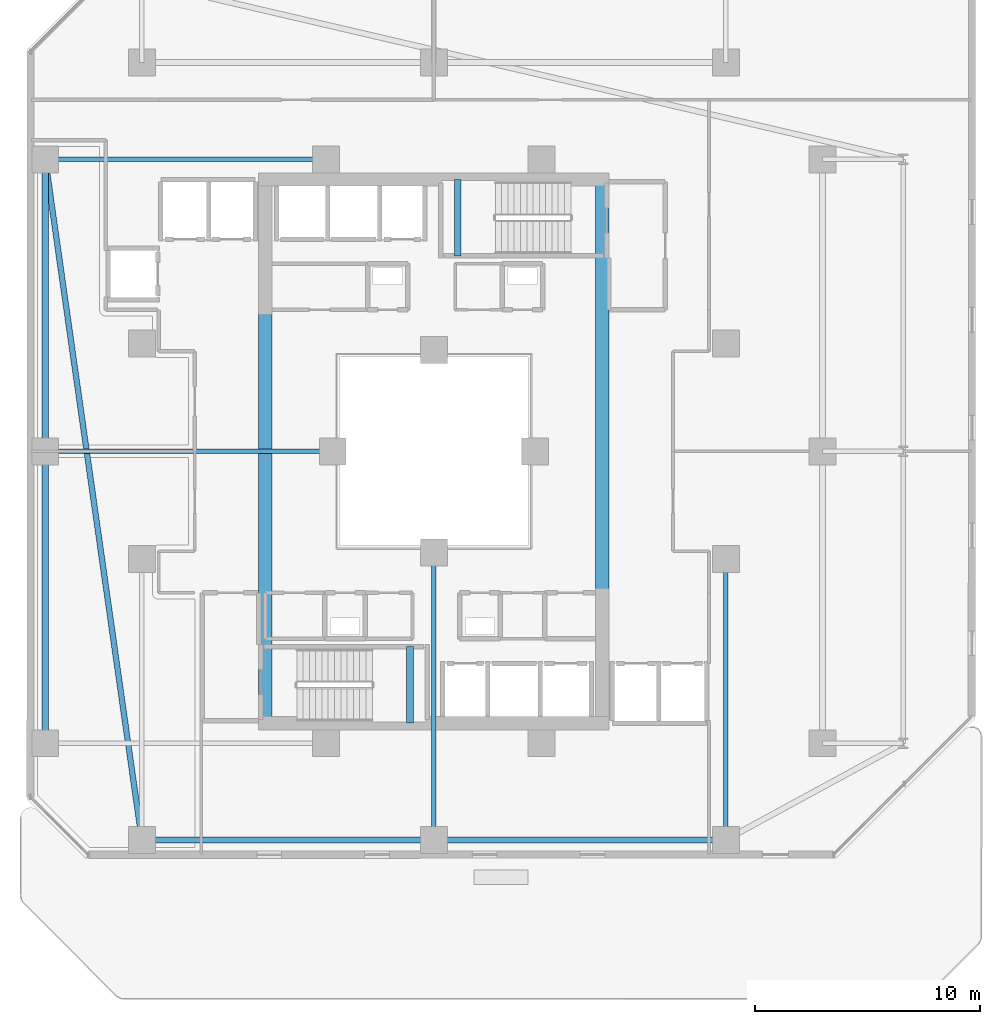
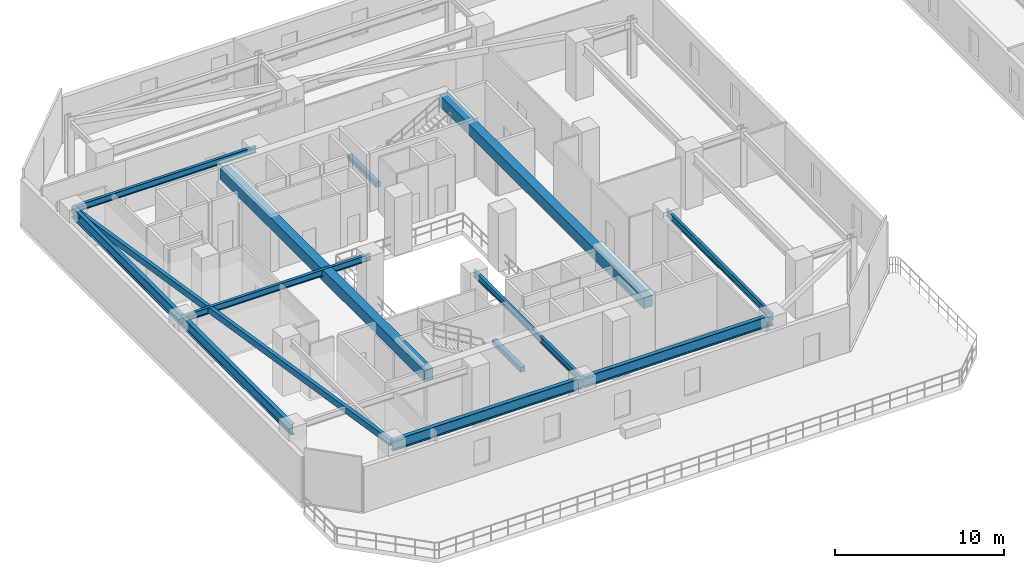
# One storey, part 4 of 30: 13 beams.
"""IFC4 building model written with IfcOpenShell, lengths in metres."""

from ifc_helpers import new_model, si_unit, direction, frame, origin, origin_2d, place, context, subcontext, project, spatial, rectangle, hollow_rectangle, i_section, extrude, material, material_profile, profile_set, type_object, element, save


model = new_model("IFC4")

# Units and contexts
model_context = context("Model", 3, precision=1e-05, world=origin(), true_north=direction((0.0, 1.0)))
body_context = subcontext(model_context, "Body", "Model", "MODEL_VIEW")
ifc_project = project(units=[si_unit("LENGTHUNIT", "METRE"), si_unit("AREAUNIT", "SQUARE_METRE"), si_unit("VOLUMEUNIT", "CUBIC_METRE"), si_unit("PLANEANGLEUNIT", "RADIAN"), si_unit("MASSUNIT", "GRAM", prefix="KILO")], contexts=[model_context])

# Site, building, storey
site_placement = place(None, origin())
site = spatial("IfcSite", under=ifc_project, at=site_placement, CompositionType="ELEMENT")
building_placement = place(site_placement, origin())
building = spatial("IfcBuilding", under=site, at=building_placement, Name="Thornwick Lancets Civic Towers", CompositionType="ELEMENT")
storey_placement = place(building_placement, frame((0.0, 0.0, 75.89990234375)))
storey = spatial("IfcBuildingStorey", under=building, at=storey_placement, Name="L19", CompositionType="ELEMENT", Elevation=75.89990234375)

# Beams
ifc_material_1 = material(Name="Concrete C60/75", Category="concrete")
ifc_material_profile_1 = material_profile(ifc_material_1, rectangle(XDim=0.60009765625, YDim=0.800048828125, at=origin_2d()), Name="RC 600x800")
ifc_profile_set_1 = profile_set([ifc_material_profile_1], Name="Concrete C60/75")
beam_type_1 = type_object("IfcBeamType", Name="BM_COUP_RC800", PredefinedType="BEAM", material=ifc_profile_set_1)
for number, where, z_axis, x_axis, name in (
    (1, (33.0, 14.89990234375, 3.56005859375), (0.0, 1.0, 0.0), (-1.0, 0.0, 0.0), "CB-L19-A1"),
    (2, (18.0, 14.89990234375, 3.56005859375), (0.0, 1.0, 0.0), (-1.0, 0.0, 0.0), "CB-L19-A2"),
):
    element("IfcBeam", number, at=place(storey_placement, frame(where, z_axis=z_axis, x_axis=x_axis)), inside=storey, type_object=beam_type_1, Name=name, PredefinedType="BEAM", context=body_context, shape_type="SweptSolid", body=[
        extrude(rectangle(XDim=0.60009765625, YDim=0.800048828125, at=origin_2d()), origin(), (0.0, 0.0, 1.0), 24.2001953125),
    ])
ifc_material_2 = material(Name="Steel S355JR", Category="steel")
ifc_material_profile_2 = material_profile(ifc_material_2, i_section(OverallWidth=0.26806640625, OverallDepth=0.769775390625, WebThickness=0.015625, FlangeThickness=0.025390625, FilletRadius=0.0166015625, at=origin_2d()), Name="UKB 762x267x197")
ifc_profile_set_2 = profile_set([ifc_material_profile_2], Name="Steel S355JR")
beam_type_2 = type_object("IfcBeamType", Name="BM_GIRD_762_197", PredefinedType="BEAM", material=ifc_profile_set_2)
beam_1_placement = place(storey_placement, frame((12.5, 9.699951171875, 3.5751953125), z_axis=(1.0, 0.0, 0.0), x_axis=(0.0, 1.0, 0.0)))
element("IfcBeam", 3, at=beam_1_placement, inside=storey, type_object=beam_type_2, Name="BM-SPINE-L19-A-0-1", PredefinedType="BEAM", context=body_context, shape_type="SweptSolid", body=[
    extrude(i_section(OverallWidth=0.26806640625, OverallDepth=0.769775390625, WebThickness=0.015625, FlangeThickness=0.025390625, FilletRadius=0.0166015625, at=origin_2d()), origin(), (0.0, 0.0, 1.0), 13.0),
])
beam_2_placement = place(storey_placement, frame((25.580078125, 9.699951171875, 3.5751953125), z_axis=(1.0, 0.0, 0.0), x_axis=(0.0, 1.0, 0.0)))
element("IfcBeam", 4, at=beam_2_placement, inside=storey, type_object=beam_type_2, Name="BM-SPINE-L19-A-1-2", PredefinedType="BEAM", context=body_context, shape_type="SweptSolid", body=[
    extrude(i_section(OverallWidth=0.26806640625, OverallDepth=0.769775390625, WebThickness=0.015625, FlangeThickness=0.025390625, FilletRadius=0.0166015625, at=origin_2d()), origin(), (0.0, 0.0, 1.0), 12.919921875),
])
beam_3_placement = place(storey_placement, frame((8.199951171875, 14.0, 3.5751953125), z_axis=(0.0, 1.0, 0.0), x_axis=(-1.0, 0.0, 0.0)))
element("IfcBeam", 5, at=beam_3_placement, inside=storey, type_object=beam_type_2, Name="BM-SPINE-L19-A-9-10", PredefinedType="BEAM", context=body_context, shape_type="SweptSolid", body=[
    extrude(i_section(OverallWidth=0.26806640625, OverallDepth=0.769775390625, WebThickness=0.015625, FlangeThickness=0.025390625, FilletRadius=0.0166015625, at=origin_2d()), origin(), (0.0, 0.0, 1.0), 13.0),
])
beam_4_placement = place(storey_placement, frame((8.199951171875, 27.080078125, 3.5751953125), z_axis=(0.0, 1.0, 0.0), x_axis=(-1.0, 0.0, 0.0)))
element("IfcBeam", 6, at=beam_4_placement, inside=storey, type_object=beam_type_2, Name="BM-SPINE-L19-A-10-11", PredefinedType="BEAM", context=body_context, shape_type="SweptSolid", body=[
    extrude(i_section(OverallWidth=0.26806640625, OverallDepth=0.769775390625, WebThickness=0.015625, FlangeThickness=0.025390625, FilletRadius=0.0166015625, at=origin_2d()), origin(), (0.0, 0.0, 1.0), 12.919921875),
])
ifc_material_profile_3 = material_profile(ifc_material_2, i_section(OverallWidth=0.19189453125, OverallDepth=0.46337890625, WebThickness=0.010498046875, FlangeThickness=0.017578125, FilletRadius=0.01025390625, at=origin_2d()), Name="UKB 457x191x89")
ifc_profile_set_3 = profile_set([ifc_material_profile_3], Name="Steel S355JR")
beam_type_3 = type_object("IfcBeamType", Name="BM_JOIST_457_89", PredefinedType="JOIST", material=ifc_profile_set_3)
beam_5_placement = place(storey_placement, frame((25.5, 22.5, 3.728515625), z_axis=(0.0, -1.0, 0.0), x_axis=(1.0, 0.0, 0.0)))
element("IfcBeam", 7, at=beam_5_placement, inside=storey, type_object=beam_type_3, Name="BM-RADIN-L19-A02", PredefinedType="JOIST", context=body_context, shape_type="SweptSolid", body=[
    extrude(i_section(OverallWidth=0.19189453125, OverallDepth=0.46337890625, WebThickness=0.010498046875, FlangeThickness=0.017578125, FilletRadius=0.01025390625, at=origin_2d()), origin(), (0.0, 0.0, 1.0), 12.800048828125),
])
beam_6_placement = place(storey_placement, frame((38.5, 22.199951171875, 3.728515625), z_axis=(0.0, -1.0, 0.0), x_axis=(1.0, 0.0, 0.0)))
element("IfcBeam", 8, at=beam_6_placement, inside=storey, type_object=beam_type_3, Name="BM-RADIN-L19-A03", PredefinedType="JOIST", context=body_context, shape_type="SweptSolid", body=[
    extrude(i_section(OverallWidth=0.19189453125, OverallDepth=0.46337890625, WebThickness=0.010498046875, FlangeThickness=0.017578125, FilletRadius=0.01025390625, at=origin_2d()), origin(), (0.0, 0.0, 1.0), 12.5),
])
beam_7_placement = place(storey_placement, frame((21.0, 27.0, 3.728515625), z_axis=(-1.0, 0.0, 0.0), x_axis=(0.0, -1.0, 0.0)))
element("IfcBeam", 9, at=beam_7_placement, inside=storey, type_object=beam_type_3, Name="BM-RADIN-L19-A11", PredefinedType="JOIST", context=body_context, shape_type="SweptSolid", body=[
    extrude(i_section(OverallWidth=0.19189453125, OverallDepth=0.46337890625, WebThickness=0.010498046875, FlangeThickness=0.017578125, FilletRadius=0.01025390625, at=origin_2d()), origin(), (0.0, 0.0, 1.0), 12.800048828125),
])
beam_8_placement = place(storey_placement, frame((20.699951171875, 40.0, 3.728515625), z_axis=(-1.0, 0.0, 0.0), x_axis=(0.0, -1.0, 0.0)))
element("IfcBeam", 10, at=beam_8_placement, inside=storey, type_object=beam_type_3, Name="BM-RADIN-L19-A12", PredefinedType="JOIST", context=body_context, shape_type="SweptSolid", body=[
    extrude(i_section(OverallWidth=0.19189453125, OverallDepth=0.46337890625, WebThickness=0.010498046875, FlangeThickness=0.017578125, FilletRadius=0.01025390625, at=origin_2d()), origin(), (0.0, 0.0, 1.0), 12.5),
])
ifc_material_profile_4 = material_profile(ifc_material_2, hollow_rectangle(XDim=0.25, YDim=0.449951171875, WallThickness=0.01611328125, at=origin_2d()), Name="RHS 450x250x16")
ifc_profile_set_4 = profile_set([ifc_material_profile_4], Name="Steel S355JR")
beam_type_4 = type_object("IfcBeamType", Name="BM_RING_RHS450", PredefinedType="BEAM", material=ifc_profile_set_4)
beam_9_placement = place(storey_placement, frame((8.199951171875, 40.0, 3.735107421875), z_axis=(0.140507712682, -0.990079584012, 0.0), x_axis=(0.990079584012, 0.140507712682, 0.0)))
element("IfcBeam", 11, at=beam_9_placement, inside=storey, type_object=beam_type_4, Name="BM-CHAMF-L19-A-C3", PredefinedType="BEAM", context=body_context, shape_type="SweptSolid", body=[
    extrude(hollow_rectangle(XDim=0.25, YDim=0.449951171875, WallThickness=0.01611328125, at=origin_2d()), origin(), (0.0, 0.0, 1.0), 30.603759765625),
])
ifc_material_3 = material(Name="Concrete C40/50", Category="concrete")
ifc_material_profile_5 = material_profile(ifc_material_3, rectangle(XDim=0.300048828125, YDim=0.35009765625, at=origin_2d()), Name="RC 300x350")
ifc_profile_set_5 = profile_set([ifc_material_profile_5], Name="Concrete C40/50")
beam_type_5 = type_object("IfcBeamType", Name="BM_STAIR_LDG", PredefinedType="BEAM", material=ifc_profile_set_5)
for number, where, z_axis, x_axis, name in (
    (12, (24.43505859375, 14.89990234375, 1.677978515625), (0.0, 1.0, 0.0), (-1.0, 0.0, 0.0), "L19 ST-A1 Landing Support Beam 1"),
    (13, (26.56494140625, 39.10009765625, 1.677978515625), (0.0, -1.0, 0.0), (1.0, 0.0, 0.0), "L19 ST-A2 Landing Support Beam 1"),
):
    element("IfcBeam", number, at=place(storey_placement, frame(where, z_axis=z_axis, x_axis=x_axis)), inside=storey, type_object=beam_type_5, Name=name, PredefinedType="BEAM", context=body_context, shape_type="SweptSolid", body=[
        extrude(rectangle(XDim=0.300048828125, YDim=0.35009765625, at=origin_2d()), origin(), (0.0, 0.0, 1.0), 3.400146484375),
    ])

save(model, "model.ifc")
